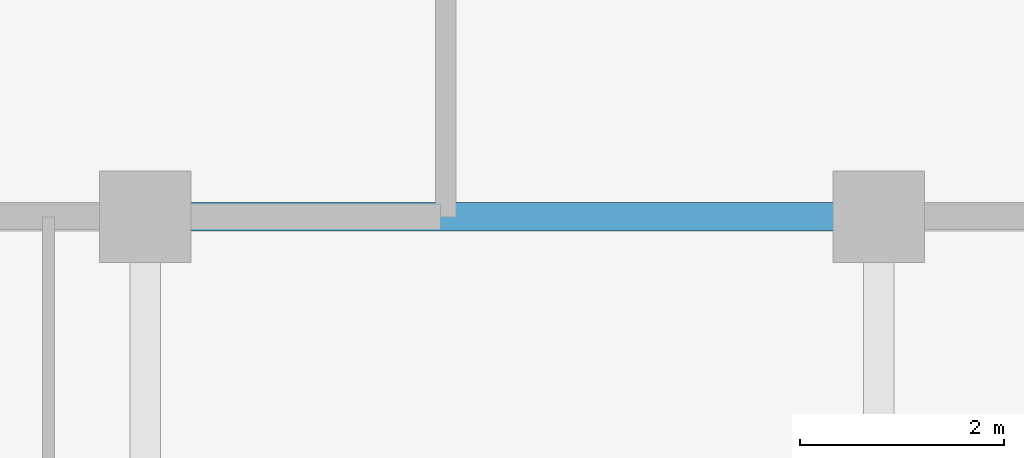
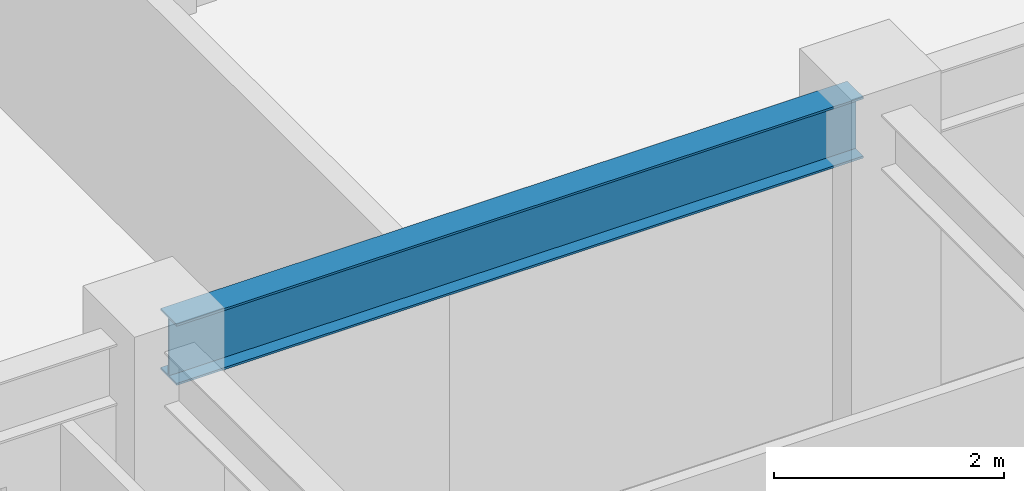
# One storey, part 6 of 22: 1 beam.
"""IFC4 building model written with IfcOpenShell, lengths in metres."""

from ifc_helpers import new_model, si_unit, direction, frame, origin, origin_2d, place, context, subcontext, project, spatial, i_section, extrude, source, transform, mapped, material, material_profile, profile_set, type_object, element, save


model = new_model("IFC4")

# Units and contexts
model_context = context("Model", 3, precision=1e-05, world=origin(), true_north=direction((0.0, 1.0)))
body_context = subcontext(model_context, "Body", "Model", "MODEL_VIEW")
ifc_project = project(units=[si_unit("LENGTHUNIT", "METRE"), si_unit("AREAUNIT", "SQUARE_METRE"), si_unit("VOLUMEUNIT", "CUBIC_METRE"), si_unit("PLANEANGLEUNIT", "RADIAN"), si_unit("MASSUNIT", "GRAM", prefix="KILO")], contexts=[model_context])

# Site, building, storey
site_placement = place(None, origin())
site = spatial("IfcSite", under=ifc_project, at=site_placement, CompositionType="ELEMENT")
building_placement = place(site_placement, origin())
building = spatial("IfcBuilding", under=site, at=building_placement, Name="Trelvane Seafront Commons", CompositionType="ELEMENT")
storey_placement = place(building_placement, frame((0.0, 0.0, 52.300048828125)))
storey = spatial("IfcBuildingStorey", under=building, at=storey_placement, Name="L13", CompositionType="ELEMENT", Elevation=52.300048828125)

# Beam
ifc_material = material(Name="Steel SM355 (S355)", Category="steel")
ifc_material_profile = material_profile(ifc_material, i_section(OverallWidth=0.280029296875, OverallDepth=0.64990234375, WebThickness=0.012939453125, FlangeThickness=0.02197265625, at=origin_2d()), Name="H-650x280x13x22")
ifc_profile_set = profile_set([ifc_material_profile], Name="Steel SM355 (S355)")
beam_type = type_object("IfcBeamType", Name="STR-BM-H650", PredefinedType="BEAM", material=ifc_profile_set)
shared_shape = source(origin(), body_context, "Body", "SweptSolid", [
    extrude(i_section(OverallWidth=0.280029296875, OverallDepth=0.64990234375, WebThickness=0.012939453125, FlangeThickness=0.02197265625, at=origin_2d()), origin(), (0.0, 0.0, 1.0), 6.89990234375),
])
beam_placement = place(storey_placement, frame((23.550048828125, 33.39990234375, 3.014892578125), z_axis=(1.0, 0.0, 0.0), x_axis=(0.0, 1.0, 0.0)))
element("IfcBeam", 1, at=beam_placement, inside=storey, type_object=beam_type, Name="L13 Primary Girder G-22", PredefinedType="BEAM", context=body_context, shape_type="MappedRepresentation", body=[
    mapped(shared_shape, transform((0.0, 0.0, 0.0), x_axis=(1.0, 0.0, 0.0), y_axis=(0.0, 1.0, 0.0), z_axis=(0.0, 0.0, 1.0), scale=1.0)),
])

save(model, "model.ifc")
